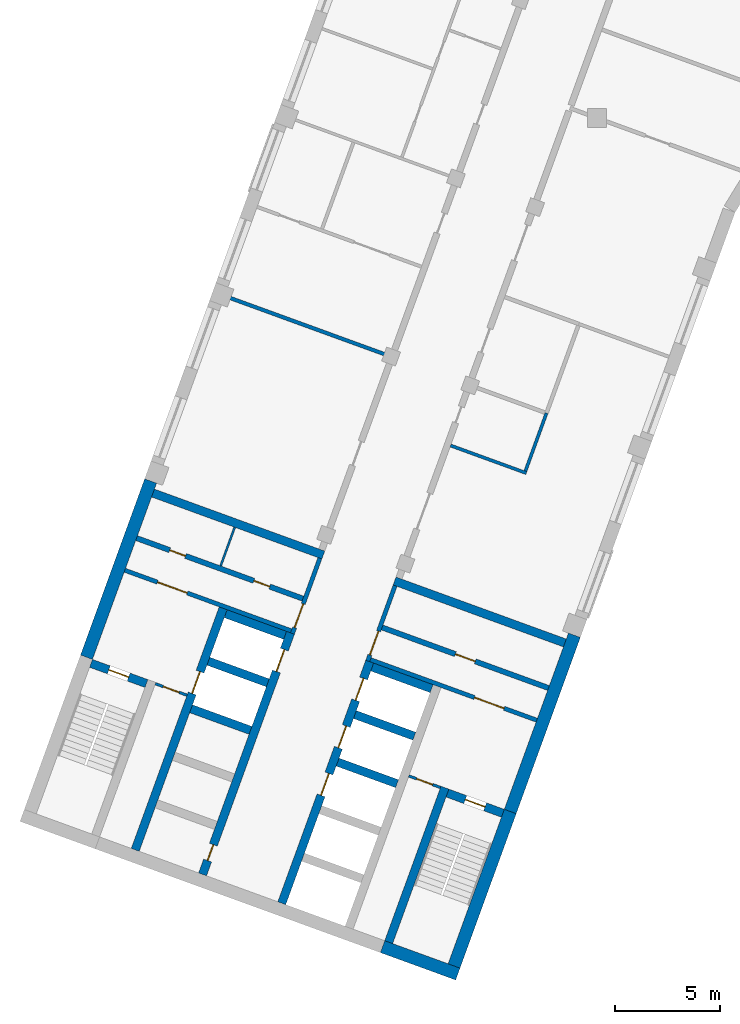
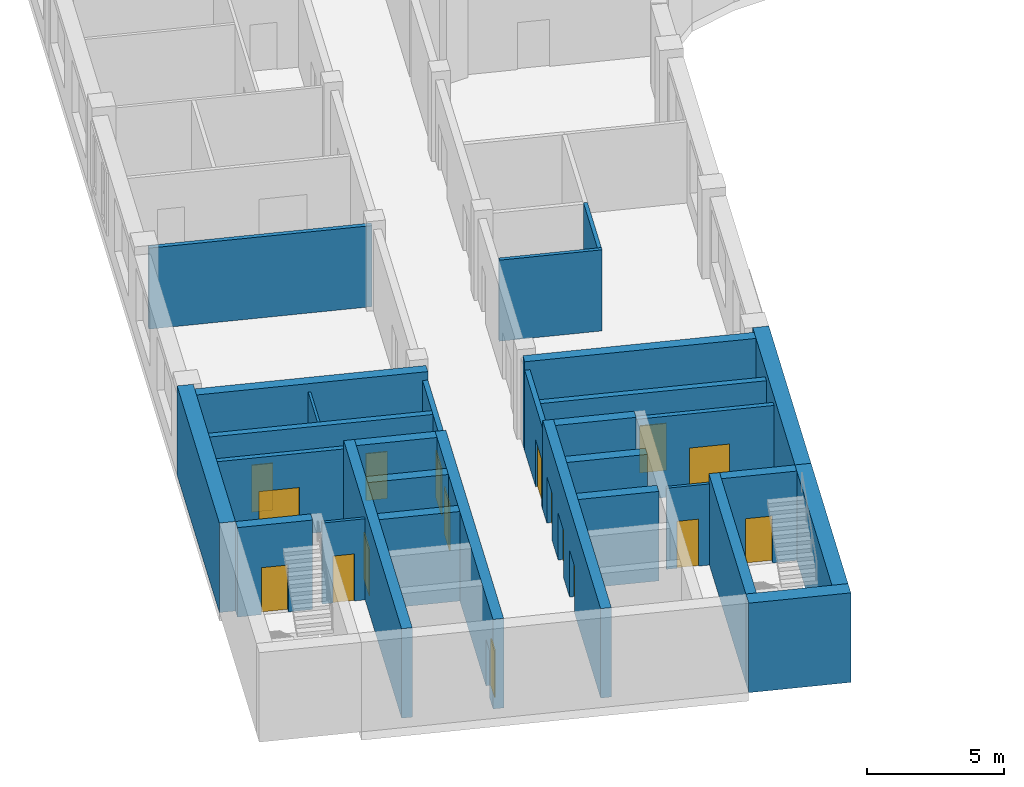
# One storey, part 2 of 12: 30 walls, 17 doors, 17 openings.
"""IFC4 building model written with IfcOpenShell, lengths in metres."""

import ifcopenshell
import ifcopenshell.guid

model = None  # the IFC model being written
_history = None  # IfcOwnerHistory: only IFC2X3 demands one
_inside = {}  # id of a spatial element -> (the spatial element, [elements in it])
_under = {}  # id of a project, library or spatial element -> (it, [spatial elements below it])
_declared = {}  # id of a project -> (the project, [libraries it declares])
_typed = {}  # id of a type object -> (the type object, [elements of that type])
_made_of = {}  # id of a material, layer set ... -> (it, [elements and type objects made of it])


def new_model(schema):
    """Start an empty IFC model of exactly this schema.

    Asked for "IFC4X3", IfcOpenShell would pick the latest addendum, in which some entities
    have other attributes; the version numbers below select the first issue.
    IFC2X3 requires an IfcOwnerHistory on every rooted entity: one is made here for all.
    """
    global model, _history
    if schema == "IFC4X3":
        model = ifcopenshell.file(schema_version=(4, 3, 0, 0))
    else:
        model = ifcopenshell.file(schema=schema)
    _inside.clear()
    _under.clear()
    _declared.clear()
    _typed.clear()
    _made_of.clear()
    _history = None
    if model.schema == "IFC2X3":
        org = make("IfcOrganization", Name="unknown")
        user = make(
            "IfcPersonAndOrganization",
            ThePerson=make("IfcPerson", FamilyName="unknown"),
            TheOrganization=org,
        )
        app = make(
            "IfcApplication",
            ApplicationDeveloper=org,
            Version="unknown",
            ApplicationFullName="unknown",
            ApplicationIdentifier="unknown",
        )
        _history = make(
            "IfcOwnerHistory",
            OwningUser=user,
            OwningApplication=app,
            ChangeAction="ADDED",
            CreationDate=0,
        )
    return model


def make(cls, **values):
    """One entity of the class cls with the attributes given. An attribute that is None is left unset."""
    return model.create_entity(
        cls, **{name: value for name, value in values.items() if value is not None}
    )


def rooted(cls, **values):
    """An entity with a GlobalId (a new one), such as an element, a storey or a relation."""
    return make(cls, GlobalId=ifcopenshell.guid.new(), OwnerHistory=_history, **values)


def si_unit(unit_type, name, prefix=None):
    """IfcSIUnit, for example si_unit("LENGTHUNIT", "METRE", prefix="MILLI")."""
    return make("IfcSIUnit", UnitType=unit_type, Prefix=prefix, Name=name)


def assignment(units):
    """IfcUnitAssignment: the units of a project."""
    return None if units is None else make("IfcUnitAssignment", Units=units)


def point(xyz):
    """IfcCartesianPoint."""
    return None if xyz is None else make("IfcCartesianPoint", Coordinates=xyz)


def direction(xyz):
    """IfcDirection."""
    return None if xyz is None else make("IfcDirection", DirectionRatios=xyz)


def frame(location, z_axis=None, x_axis=None):
    """IfcAxis2Placement3D, a coordinate frame: its origin and axes. An axis left out is left unset."""
    return make(
        "IfcAxis2Placement3D",
        Location=point(location),
        Axis=direction(z_axis),
        RefDirection=direction(x_axis),
    )


def frame_2d(location, x_axis=None):
    """IfcAxis2Placement2D, a coordinate frame in the plane: its origin and x axis."""
    return make(
        "IfcAxis2Placement2D", Location=point(location), RefDirection=direction(x_axis)
    )


def origin():
    """The frame at (0, 0, 0) with its axes left unset."""
    return frame((0.0, 0.0, 0.0))


def place(relative_to, where):
    """IfcLocalPlacement: puts the frame where relative to a parent placement (None: the world)."""
    return make(
        "IfcLocalPlacement", PlacementRelTo=relative_to, RelativePlacement=where
    )


def context(
    kind, dimensions, precision=None, world=None, true_north=None, identifier=None
):
    """IfcGeometricRepresentationContext, for example the 3D "Model" context."""
    return make(
        "IfcGeometricRepresentationContext",
        ContextIdentifier=identifier,
        ContextType=kind,
        CoordinateSpaceDimension=dimensions,
        Precision=precision,
        WorldCoordinateSystem=world,
        TrueNorth=true_north,
    )


def subcontext(parent, identifier, kind, view, scale=None):
    """IfcGeometricRepresentationSubContext, for example "Body" below "Model"."""
    return make(
        "IfcGeometricRepresentationSubContext",
        ContextIdentifier=identifier,
        ContextType=kind,
        ParentContext=parent,
        TargetScale=scale,
        TargetView=view,
    )


def project(units=None, contexts=None):
    """IfcProject with its units and contexts."""
    return rooted(
        "IfcProject",
        Name="project",
        RepresentationContexts=contexts,
        UnitsInContext=assignment(units),
    )


def spatial(cls, under=None, at=None, **own):
    """A site, building, storey or space (cls), placed at a placement, below another one or the project."""
    s = rooted(cls, ObjectPlacement=at, **own)
    if under is not None:
        _under.setdefault(under.id(), (under, []))[1].append(s)
    return s


def profile(cls, at=None, kind="AREA", **sizes):
    """A parametric profile (cls). Its sizes go by their IFC names, for example OverallWidth=200.0."""
    return make(cls, ProfileType=kind, Position=at, **sizes)


def rectangle(**sizes):
    """IfcRectangleProfileDef."""
    return profile("IfcRectangleProfileDef", **sizes)


def extrude(swept, where, along, depth):
    """IfcExtrudedAreaSolid: the profile swept, set in the frame where, extruded along a direction by depth."""
    return make(
        "IfcExtrudedAreaSolid",
        SweptArea=swept,
        Position=where,
        ExtrudedDirection=direction(along),
        Depth=depth,
    )


def shape(context_of_items, identifier, shape_type, items):
    """IfcShapeRepresentation: the items that make up one representation, for example the "Body"."""
    return make(
        "IfcShapeRepresentation",
        ContextOfItems=context_of_items,
        RepresentationIdentifier=identifier,
        RepresentationType=shape_type,
        Items=items,
    )


def material(Name=None, Category=None):
    """IfcMaterial."""
    return make("IfcMaterial", Name=Name, Category=Category)


def layer(
    of_material, thickness, ventilated=None, Name=None, Category=None, Priority=None
):
    """IfcMaterialLayer: one layer of a wall or slab, of a material (None: an air gap)."""
    return make(
        "IfcMaterialLayer",
        Material=of_material,
        LayerThickness=thickness,
        IsVentilated=ventilated,
        Name=Name,
        Category=Category,
        Priority=Priority,
    )


def layer_set(layers, Name=None):
    """IfcMaterialLayerSet."""
    return make("IfcMaterialLayerSet", MaterialLayers=layers, LayerSetName=Name)


def made_of(thing, what):
    """Note that an element or type object is made of a material, layer set ...; save() writes the relation."""
    if what is not None:
        _made_of.setdefault(what.id(), (what, []))[1].append(thing)
    return thing


def type_object(cls, material=None, **own):
    """A type object (cls), such as IfcWallType, which elements share."""
    return made_of(rooted(cls, **own), material)


def element(
    cls,
    number,
    at=None,
    inside=None,
    cuts=None,
    type_object=None,
    material=None,
    context=None,
    identifier="Body",
    shape_type=None,
    held_by="IfcProductDefinitionShape",
    body=None,
    shapes=None,
    **own,
):
    """One element of the class cls, such as IfcWall. Its Tag is "e" and its number.

    at: its placement. inside: the storey or other place that contains it. cuts: it is an
    opening in that element (IfcRelVoidsElement). A single representation is given by context,
    identifier, shape_type and body (its items); several are given by shapes. held_by: the class
    of the entity that holds the representations. save() writes the other relations.
    """
    e = rooted(cls, Tag="e%d" % number, ObjectPlacement=at, **own)
    if body is not None:
        shapes = [shape(context, identifier, shape_type, body)]
    if shapes is not None:
        e.Representation = make(held_by, Representations=shapes)
    if inside is not None:
        _inside.setdefault(inside.id(), (inside, []))[1].append(e)
    if cuts is not None:
        rooted(
            "IfcRelVoidsElement", RelatingBuildingElement=cuts, RelatedOpeningElement=e
        )
    if type_object is not None:
        _typed.setdefault(type_object.id(), (type_object, []))[1].append(e)
    return made_of(e, material)


def fill(opening, filler):
    """IfcRelFillsElement: the door or window that sits in an opening."""
    return rooted(
        "IfcRelFillsElement",
        RelatingOpeningElement=opening,
        RelatedBuildingElement=filler,
    )


def aggregate(whole, parts):
    """IfcRelAggregates: a whole, such as a stair, and the parts it consists of."""
    return rooted("IfcRelAggregates", RelatingObject=whole, RelatedObjects=parts)


def save(model, path):
    """Write the relations noted so far, then the file.

    IfcRelAggregates (storeys below a building ...), IfcRelContainedInSpatialStructure (elements
    in a storey), IfcRelDefinesByType, IfcRelAssociatesMaterial and IfcRelDeclares: one each for
    every whole, place, type object, material and project.
    """
    for whole, parts in _under.values():
        aggregate(whole, parts)
    for where, things in _inside.values():
        rooted(
            "IfcRelContainedInSpatialStructure",
            RelatedElements=things,
            RelatingStructure=where,
        )
    for kind, things in _typed.values():
        rooted("IfcRelDefinesByType", RelatedObjects=things, RelatingType=kind)
    for what, things in _made_of.values():
        rooted("IfcRelAssociatesMaterial", RelatedObjects=things, RelatingMaterial=what)
    for by, libraries in _declared.values():
        rooted("IfcRelDeclares", RelatingContext=by, RelatedDefinitions=libraries)
    model.write(path)


model = new_model("IFC4")

# Units and contexts
model_context = context("Model", 3, precision=1e-05, world=origin(), true_north=direction((0.0, 1.0)))
body_context = subcontext(model_context, "Body", "Model", "MODEL_VIEW")
ifc_project = project(units=[si_unit("LENGTHUNIT", "METRE"), si_unit("AREAUNIT", "SQUARE_METRE"), si_unit("VOLUMEUNIT", "CUBIC_METRE"), si_unit("PLANEANGLEUNIT", "RADIAN"), si_unit("MASSUNIT", "GRAM", prefix="KILO")], contexts=[model_context])

# Site, building, storey
site_placement = place(None, origin())
site = spatial("IfcSite", under=ifc_project, at=site_placement, CompositionType="ELEMENT")
building_placement = place(site_placement, origin())
building = spatial("IfcBuilding", under=site, at=building_placement, Name="Skarvind Civic Tower", CompositionType="ELEMENT")
storey_placement = place(building_placement, frame((0.0, 0.0, 39.5)))
storey = spatial("IfcBuildingStorey", under=building, at=storey_placement, Name="L08", CompositionType="ELEMENT", Elevation=39.5)

# Wall
ifc_material_1 = material(Name="Acoustic gypsum board on steel studs", Category="steel")
ifc_layer_1 = layer(ifc_material_1, 0.175048828125)
ifc_layer_set_1 = layer_set([ifc_layer_1], Name="ACOUSTIC MEETING-ROOM PARTITION 175")
wall_type_1 = type_object("IfcWallType", Name="ACOUSTIC MEETING-ROOM PARTITION 175", PredefinedType="PARTITIONING", material=ifc_layer_set_1)
wall_1_placement = place(storey_placement, frame((28.27490234375, 109.708984375, 0.0), z_axis=(0.0, 0.0, 1.0), x_axis=(0.939697205528, -0.342007546586, 0.0)))
element("IfcWall", 1, at=wall_1_placement, inside=storey, type_object=wall_type_1, Name="Partition 08.001", PredefinedType="PARTITIONING", context=body_context, shape_type="SweptSolid", body=[
    extrude(rectangle(XDim=8.300537109375, YDim=0.175048828125, at=frame_2d((4.150390625, 0.0))), origin(), (0.0, 0.0, 1.0), 3.625),
])

# Wall, opening, door
ifc_material_2 = material(Name="Fire-rated masonry partition", Category="masonry")
ifc_layer_2 = layer(ifc_material_2, 0.199951171875)
ifc_layer_set_2 = layer_set([ifc_layer_2], Name="Core enclosure wall 200")
wall_type_2 = type_object("IfcWallType", Name="Core enclosure wall 200", PredefinedType="PARTITIONING", material=ifc_layer_set_2)
wall_2_placement = place(storey_placement, frame((31.491455078125, 93.693359375, 0.0), z_axis=(0.0, 0.0, 1.0), x_axis=(0.341995824804, 0.939701471648, 0.0)))
wall_2 = element("IfcWall", 2, at=wall_2_placement, inside=storey, type_object=wall_type_2, Name="Core wall C2", PredefinedType="PARTITIONING", context=body_context, shape_type="SweptSolid", body=[
    extrude(rectangle(XDim=3.800048828125, YDim=0.199951171875, at=frame_2d((1.89990234375, 0.0))), origin(), (0.0, 0.0, 1.0), 3.625),
])
opening_1_placement = place(wall_2_placement, frame((0.300048828125, 0.0, 0.0)))
opening_1 = element("IfcOpeningElement", 3, at=opening_1_placement, cuts=wall_2, Name="Opening D-L08-C2-06", PredefinedType="OPENING", context=body_context, shape_type="SweptSolid", body=[
    extrude(rectangle(XDim=1.199951171875, YDim=2.10009765625, at=frame_2d((0.60009765625, 1.050048828125))), frame((0.0, 0.10986328125, 0.0), z_axis=(0.0, -1.0, 0.0), x_axis=(1.0, 0.0, 0.0)), (0.0, 0.0, 1.0), 0.219970703125),
])
ifc_material_3 = material(Name="Fire-rated steel door", Category="steel")
door_type_1 = type_object("IfcDoorType", Name="Core lobby door 1200", OperationType="NOTDEFINED", PredefinedType="DOOR", material=ifc_material_3)
door_1_placement = place(opening_1_placement, origin())
door_1 = element("IfcDoor", 4, at=door_1_placement, inside=storey, type_object=door_type_1, Name="Fire door", OperationType="DOUBLE_DOOR_SINGLE_SWING", OverallHeight=2.10009765625, OverallWidth=1.199951171875, PredefinedType="DOOR", context=body_context, shape_type="SweptSolid", body=[
    extrude(rectangle(XDim=1.199951171875, YDim=2.10009765625, at=frame_2d((0.60009765625, 1.050048828125))), frame((0.0, 0.02490234375, 0.0), z_axis=(0.0, -1.0, 0.0), x_axis=(1.0, 0.0, 0.0)), (0.0, 0.0, 1.0), 0.050048828125),
])
fill(opening_1, door_1)

wall_3_placement = place(storey_placement, frame((23.5380859375, 96.6943359375, 0.0), z_axis=(0.0, 0.0, 1.0), x_axis=(0.939691552312, -0.342023078919, 0.0)))
wall_3 = element("IfcWall", 5, at=wall_3_placement, inside=storey, type_object=wall_type_2, Name="Core wall C2", PredefinedType="PARTITIONING", context=body_context, shape_type="SweptSolid", body=[
    extrude(rectangle(XDim=8.400146484375, YDim=0.199951171875, at=frame_2d((4.2001953125, 0.0))), origin(), (0.0, 0.0, 1.0), 3.625),
])
opening_2_placement = place(wall_3_placement, frame((1.64990234375, 0.0, 0.0)))
opening_2 = element("IfcOpeningElement", 6, at=opening_2_placement, cuts=wall_3, Name="Opening D-L08-C2-07", PredefinedType="OPENING", context=body_context, shape_type="SweptSolid", body=[
    extrude(rectangle(XDim=1.5, YDim=2.10009765625, at=frame_2d((0.75, 1.050048828125))), frame((0.0, 0.10986328125, 0.0), z_axis=(0.0, -1.0, 0.0), x_axis=(1.0, 0.0, 0.0)), (0.0, 0.0, 1.0), 0.219970703125),
])
door_type_2 = type_object("IfcDoorType", Name="Fire door 1500", OperationType="NOTDEFINED", PredefinedType="DOOR", material=ifc_material_3)
door_2_placement = place(opening_2_placement, origin())
door_2 = element("IfcDoor", 7, at=door_2_placement, inside=storey, type_object=door_type_2, Name="Fire door", OperationType="DOUBLE_DOOR_SINGLE_SWING", OverallHeight=2.10009765625, OverallWidth=1.5, PredefinedType="DOOR", context=body_context, shape_type="SweptSolid", body=[
    extrude(rectangle(XDim=1.5, YDim=2.10009765625, at=frame_2d((0.75, 1.050048828125))), frame((0.0, 0.02490234375, 0.0), z_axis=(0.0, -1.0, 0.0), x_axis=(1.0, 0.0, 0.0)), (0.0, 0.0, 1.0), 0.050048828125),
])
fill(opening_2, door_2)

wall_4_placement = place(storey_placement, frame((36.36181640625, 95.96435546875, 0.0), z_axis=(0.0, 0.0, 1.0), x_axis=(-0.341995824804, -0.939701471648, 0.0)))
wall_4 = element("IfcWall", 8, at=wall_4_placement, inside=storey, type_object=wall_type_2, Name="Core wall C2", PredefinedType="PARTITIONING", context=body_context, shape_type="SweptSolid", body=[
    extrude(rectangle(XDim=3.800048828125, YDim=0.199951171875, at=frame_2d((1.89990234375, 0.0))), origin(), (0.0, 0.0, 1.0), 3.625),
])
opening_3_placement = place(wall_4_placement, frame((2.300048828125, 0.0, 0.0)))
opening_3 = element("IfcOpeningElement", 9, at=opening_3_placement, cuts=wall_4, Name="Opening D-L08-C2-12", PredefinedType="OPENING", context=body_context, shape_type="SweptSolid", body=[
    extrude(rectangle(XDim=1.199951171875, YDim=2.10009765625, at=frame_2d((0.60009765625, 1.050048828125))), frame((0.0, 0.10986328125, 0.0), z_axis=(0.0, -1.0, 0.0), x_axis=(1.0, 0.0, 0.0)), (0.0, 0.0, 1.0), 0.219970703125),
])
door_3_placement = place(opening_3_placement, origin())
door_3 = element("IfcDoor", 10, at=door_3_placement, inside=storey, type_object=door_type_1, Name="Fire door", OperationType="DOUBLE_DOOR_SINGLE_SWING", OverallHeight=2.10009765625, OverallWidth=1.199951171875, PredefinedType="DOOR", context=body_context, shape_type="SweptSolid", body=[
    extrude(rectangle(XDim=1.199951171875, YDim=2.10009765625, at=frame_2d((0.60009765625, 1.050048828125))), frame((0.0, 0.02490234375, 0.0), z_axis=(0.0, -1.0, 0.0), x_axis=(1.0, 0.0, 0.0)), (0.0, 0.0, 1.0), 0.050048828125),
])
fill(opening_3, door_3)

wall_5_placement = place(storey_placement, frame((35.1904296875, 92.453369140625, 0.0), z_axis=(0.0, 0.0, 1.0), x_axis=(0.939691552312, -0.342023078919, 0.0)))
wall_5 = element("IfcWall", 11, at=wall_5_placement, inside=storey, type_object=wall_type_2, Name="Core wall C2", PredefinedType="PARTITIONING", context=body_context, shape_type="SweptSolid", body=[
    extrude(rectangle(XDim=8.400146484375, YDim=0.199951171875, at=frame_2d((4.2001953125, 0.0))), origin(), (0.0, 0.0, 1.0), 3.625),
])
opening_4_placement = place(wall_5_placement, frame((5.25, 0.0, 0.0)))
opening_4 = element("IfcOpeningElement", 12, at=opening_4_placement, cuts=wall_5, Name="Opening D-L08-C2-13", PredefinedType="OPENING", context=body_context, shape_type="SweptSolid", body=[
    extrude(rectangle(XDim=1.5, YDim=2.10009765625, at=frame_2d((0.75, 1.050048828125))), frame((0.0, 0.10986328125, 0.0), z_axis=(0.0, -1.0, 0.0), x_axis=(1.0, 0.0, 0.0)), (0.0, 0.0, 1.0), 0.219970703125),
])
door_4_placement = place(opening_4_placement, origin())
door_4 = element("IfcDoor", 13, at=door_4_placement, inside=storey, type_object=door_type_2, Name="Fire door", OperationType="DOUBLE_DOOR_SINGLE_SWING", OverallHeight=2.10009765625, OverallWidth=1.5, PredefinedType="DOOR", context=body_context, shape_type="SweptSolid", body=[
    extrude(rectangle(XDim=1.5, YDim=2.10009765625, at=frame_2d((0.75, 1.050048828125))), frame((0.0, 0.02490234375, 0.0), z_axis=(0.0, -1.0, 0.0), x_axis=(1.0, 0.0, 0.0)), (0.0, 0.0, 1.0), 0.050048828125),
])
fill(opening_4, door_4)

# Walls
ifc_material_4 = material(Name="Fire-rated plasterboard partition")
ifc_layer_3 = layer(ifc_material_4, 0.10009765625)
ifc_layer_set_3 = layer_set([ifc_layer_3], Name="Core partition wall 100")
wall_type_3 = type_object("IfcWallType", Name="Core partition wall 100", PredefinedType="PARTITIONING", material=ifc_layer_set_3)
wall_6_placement = place(storey_placement, frame((28.08349609375, 96.90234375, 0.0), z_axis=(0.0, 0.0, 1.0), x_axis=(0.342024501273, 0.939691034611, 0.0)))
element("IfcWall", 14, at=wall_6_placement, inside=storey, type_object=wall_type_3, Name="Core wall C2", PredefinedType="PARTITIONING", context=body_context, shape_type="SweptSolid", body=[
    extrude(rectangle(XDim=1.9501953125, YDim=0.10009765625, at=frame_2d((0.97509765625, 0.0))), origin(), (0.0, 0.0, 1.0), 3.625),
])
ifc_material_5 = material(Name="Concrete C80", Category="concrete")
ifc_layer_4 = layer(ifc_material_5, 0.39990234375)
ifc_layer_set_4 = layer_set([ifc_layer_4], Name="Core wall 400 C80")
wall_type_4 = type_object("IfcWallType", Name="Core wall 400 C80", PredefinedType="SHEAR", material=ifc_layer_set_4)
wall_7_placement = place(storey_placement, frame((36.057861328125, 79.04833984375, 0.0), z_axis=(0.0, 0.0, 1.0), x_axis=(0.342016982193, 0.939693771338, 0.0)))
element("IfcWall", 15, at=wall_7_placement, inside=storey, type_object=wall_type_4, Name="Core wall C2 south stair inner L08", PredefinedType="SHEAR", context=body_context, shape_type="SweptSolid", body=[
    extrude(rectangle(XDim=7.800048828125, YDim=0.39990234375, at=frame_2d((3.89990234375, 0.0))), origin(), (0.0, 0.0, 1.0), 4.0),
])

# Wall, opening, door
wall_8_placement = place(storey_placement, frame((41.476318359375, 85.163818359375, 0.0), z_axis=(0.0, 0.0, 1.0), x_axis=(-0.939678810556, 0.342058084236, 0.0)))
wall_8 = element("IfcWall", 16, at=wall_8_placement, inside=storey, type_object=wall_type_4, Name="Core wall C2 south stair end L08", PredefinedType="SHEAR", context=body_context, shape_type="SweptSolid", body=[
    extrude(rectangle(XDim=2.800048828125, YDim=0.39990234375, at=frame_2d((1.39990234375, 0.0))), origin(), (0.0, 0.0, 1.0), 4.0),
])
opening_5_placement = place(wall_8_placement, frame((0.89990234375, 0.0, 0.0)))
opening_5 = element("IfcOpeningElement", 17, at=opening_5_placement, cuts=wall_8, Name="Opening D-L08-C2-14", PredefinedType="OPENING", context=body_context, shape_type="SweptSolid", body=[
    extrude(rectangle(XDim=1.0, YDim=2.10009765625, at=frame_2d((0.5, 1.050048828125))), frame((0.0, 0.2099609375, 0.0), z_axis=(0.0, -1.0, 0.0), x_axis=(1.0, 0.0, 0.0)), (0.0, 0.0, 1.0), 0.419921875),
])
door_type_3 = type_object("IfcDoorType", Name="Fire door 1000", OperationType="NOTDEFINED", PredefinedType="DOOR", material=ifc_material_3)
door_5_placement = place(opening_5_placement, origin())
door_5 = element("IfcDoor", 18, at=door_5_placement, inside=storey, type_object=door_type_3, Name="Fire door", OperationType="SINGLE_SWING_RIGHT", OverallHeight=2.10009765625, OverallWidth=1.0, PredefinedType="DOOR", context=body_context, shape_type="SweptSolid", body=[
    extrude(rectangle(XDim=1.0, YDim=2.10009765625, at=frame_2d((0.5, 1.050048828125))), frame((0.0, 0.02490234375, 0.0), z_axis=(0.0, -1.0, 0.0), x_axis=(1.0, 0.0, 0.0)), (0.0, 0.0, 1.0), 0.050048828125),
])
fill(opening_5, door_5)

wall_9_placement = place(storey_placement, frame((24.56201171875, 91.3203125, 0.0), z_axis=(0.0, 0.0, 1.0), x_axis=(-0.939717030584, 0.341953070509, 0.0)))
wall_9 = element("IfcWall", 19, at=wall_9_placement, inside=storey, type_object=wall_type_4, Name="Core wall C2 north stair end L08", PredefinedType="SHEAR", context=body_context, shape_type="SweptSolid", body=[
    extrude(rectangle(XDim=2.800048828125, YDim=0.39990234375, at=frame_2d((1.39990234375, 0.0))), origin(), (0.0, 0.0, 1.0), 4.0),
])
opening_6_placement = place(wall_9_placement, frame((0.89990234375, 0.0, 0.0)))
opening_6 = element("IfcOpeningElement", 20, at=opening_6_placement, cuts=wall_9, Name="Opening D-L08-C2-08", PredefinedType="OPENING", context=body_context, shape_type="SweptSolid", body=[
    extrude(rectangle(XDim=1.0, YDim=2.10009765625, at=frame_2d((0.5, 1.050048828125))), frame((0.0, 0.2099609375, 0.0), z_axis=(0.0, -1.0, 0.0), x_axis=(1.0, 0.0, 0.0)), (0.0, 0.0, 1.0), 0.419921875),
])
door_6_placement = place(opening_6_placement, origin())
door_6 = element("IfcDoor", 21, at=door_6_placement, inside=storey, type_object=door_type_3, Name="Fire door", OperationType="SINGLE_SWING_LEFT", OverallHeight=2.10009765625, OverallWidth=1.0, PredefinedType="DOOR", context=body_context, shape_type="SweptSolid", body=[
    extrude(rectangle(XDim=1.0, YDim=2.10009765625, at=frame_2d((0.5, 1.050048828125))), frame((0.0, 0.02490234375, 0.0), z_axis=(0.0, -1.0, 0.0), x_axis=(1.0, 0.0, 0.0)), (0.0, 0.0, 1.0), 0.050048828125),
])
fill(opening_6, door_6)

# Wall, openings, doors
wall_10_placement = place(storey_placement, frame((30.983642578125, 80.895263671875, 0.0), z_axis=(0.0, 0.0, 1.0), x_axis=(0.342021021735, 0.939692301071, 0.0)))
wall_10 = element("IfcWall", 22, at=wall_10_placement, inside=storey, type_object=wall_type_4, Name="Core wall C2 south lift row front L08", PredefinedType="SHEAR", context=body_context, shape_type="SweptSolid", body=[
    extrude(rectangle(XDim=12.199951171875, YDim=0.39990234375, at=frame_2d((6.10009765625, 0.0))), origin(), (0.0, 0.0, 1.0), 4.0),
])
opening_7_placement = place(wall_10_placement, frame((5.449951171875, 0.0, 0.0)))
opening_7 = element("IfcOpeningElement", 23, at=opening_7_placement, cuts=wall_10, Name="Opening LD10208", PredefinedType="OPENING", context=body_context, shape_type="SweptSolid", body=[
    extrude(rectangle(XDim=1.10009765625, YDim=2.10009765625, at=frame_2d((0.550048828125, 1.050048828125))), frame((0.0, 0.2099609375, 0.0), z_axis=(0.0, -1.0, 0.0), x_axis=(1.0, 0.0, 0.0)), (0.0, 0.0, 1.0), 0.419921875),
])
opening_8_placement = place(wall_10_placement, frame((7.85009765625, 0.0, 0.0)))
opening_8 = element("IfcOpeningElement", 24, at=opening_8_placement, cuts=wall_10, Name="Opening LD10209", PredefinedType="OPENING", context=body_context, shape_type="SweptSolid", body=[
    extrude(rectangle(XDim=1.10009765625, YDim=2.10009765625, at=frame_2d((0.550048828125, 1.050048828125))), frame((0.0, 0.2099609375, 0.0), z_axis=(0.0, -1.0, 0.0), x_axis=(1.0, 0.0, 0.0)), (0.0, 0.0, 1.0), 0.419921875),
])
opening_9_placement = place(wall_10_placement, frame((10.25, 0.0, 0.0)))
opening_9 = element("IfcOpeningElement", 25, at=opening_9_placement, cuts=wall_10, Name="Opening LD10210", PredefinedType="OPENING", context=body_context, shape_type="SweptSolid", body=[
    extrude(rectangle(XDim=1.10009765625, YDim=2.10009765625, at=frame_2d((0.550048828125, 1.050048828125))), frame((0.0, 0.2099609375, 0.0), z_axis=(0.0, -1.0, 0.0), x_axis=(1.0, 0.0, 0.0)), (0.0, 0.0, 1.0), 0.419921875),
])
ifc_material_6 = material(Name="Stainless steel landing door", Category="steel")
door_type_4 = type_object("IfcDoorType", Name="Lift landing door 1100", OperationType="DOUBLE_DOOR_SLIDING", PredefinedType="DOOR", material=ifc_material_6)
door_7_placement = place(opening_7_placement, origin())
door_7 = element("IfcDoor", 26, at=door_7_placement, inside=storey, type_object=door_type_4, Name="Lift landing door", OperationType="DOUBLE_DOOR_SLIDING", OverallHeight=2.10009765625, OverallWidth=1.10009765625, PredefinedType="DOOR", context=body_context, shape_type="SweptSolid", body=[
    extrude(rectangle(XDim=1.10009765625, YDim=2.10009765625, at=frame_2d((0.550048828125, 1.050048828125))), frame((0.0, 0.02490234375, 0.0), z_axis=(0.0, -1.0, 0.0), x_axis=(1.0, 0.0, 0.0)), (0.0, 0.0, 1.0), 0.050048828125),
])
fill(opening_7, door_7)
door_8_placement = place(opening_8_placement, origin())
door_8 = element("IfcDoor", 27, at=door_8_placement, inside=storey, type_object=door_type_4, Name="Lift landing door", OperationType="DOUBLE_DOOR_SLIDING", OverallHeight=2.10009765625, OverallWidth=1.10009765625, PredefinedType="DOOR", context=body_context, shape_type="SweptSolid", body=[
    extrude(rectangle(XDim=1.10009765625, YDim=2.10009765625, at=frame_2d((0.550048828125, 1.050048828125))), frame((0.0, 0.02490234375, 0.0), z_axis=(0.0, -1.0, 0.0), x_axis=(1.0, 0.0, 0.0)), (0.0, 0.0, 1.0), 0.050048828125),
])
fill(opening_8, door_8)
door_9_placement = place(opening_9_placement, origin())
door_9 = element("IfcDoor", 28, at=door_9_placement, inside=storey, type_object=door_type_4, Name="Lift landing door", OperationType="DOUBLE_DOOR_SLIDING", OverallHeight=2.10009765625, OverallWidth=1.10009765625, PredefinedType="DOOR", context=body_context, shape_type="SweptSolid", body=[
    extrude(rectangle(XDim=1.10009765625, YDim=2.10009765625, at=frame_2d((0.550048828125, 1.050048828125))), frame((0.0, 0.02490234375, 0.0), z_axis=(0.0, -1.0, 0.0), x_axis=(1.0, 0.0, 0.0)), (0.0, 0.0, 1.0), 0.050048828125),
])
fill(opening_9, door_9)

# Walls
for number, where, z_axis, x_axis, name in (
    (29, (36.453125, 86.56640625, 0.0), (0.0, 0.0, 1.0), (-0.939686455819, 0.342037080957, 0.0), "Core wall C2 south lift row division 3 L08"),
    (30, (37.27392578125, 88.82177734375, 0.0), (0.0, 0.0, 1.0), (-0.939686455819, 0.342037080957, 0.0), "Core wall C2 south lift row division 4 L08"),
):
    element("IfcWall", number, at=place(storey_placement, frame(where, z_axis=z_axis, x_axis=x_axis)), inside=storey, type_object=wall_type_4, Name=name, PredefinedType="SHEAR", context=body_context, shape_type="SweptSolid", body=[
        extrude(rectangle(XDim=3.0, YDim=0.39990234375, at=frame_2d((1.5, 0.0))), origin(), (0.0, 0.0, 1.0), 4.0),
    ])
wall_11_placement = place(storey_placement, frame((38.0947265625, 91.076904296875, 0.0), z_axis=(0.0, 0.0, 1.0), x_axis=(-0.939676934218, 0.342063238742, 0.0)))
element("IfcWall", 31, at=wall_11_placement, inside=storey, type_object=wall_type_4, Name="Core wall C2 south lift row division 5 L08", PredefinedType="SHEAR", context=body_context, shape_type="SweptSolid", body=[
    extrude(rectangle(XDim=2.999755859375, YDim=0.39990234375, at=frame_2d((1.5, 0.0))), origin(), (0.0, 0.0, 1.0), 4.0),
])

# Wall, openings, doors
wall_12_placement = place(storey_placement, frame((27.224853515625, 82.26318359375, 0.0), z_axis=(0.0, 0.0, 1.0), x_axis=(0.342014590177, 0.939694641948, 0.0)))
wall_12 = element("IfcWall", 32, at=wall_12_placement, inside=storey, type_object=wall_type_4, Name="Core wall C2 north lift row front L08", PredefinedType="SHEAR", context=body_context, shape_type="SweptSolid", body=[
    extrude(rectangle(XDim=12.2001953125, YDim=0.39990234375, at=frame_2d((6.10009765625, 0.0))), origin(), (0.0, 0.0, 1.0), 4.0),
])
opening_10_placement = place(wall_12_placement, frame((10.25, 0.0, 0.0)))
opening_10 = element("IfcOpeningElement", 33, at=opening_10_placement, cuts=wall_12, Name="Opening LD10205", PredefinedType="OPENING", context=body_context, shape_type="SweptSolid", body=[
    extrude(rectangle(XDim=1.10009765625, YDim=2.10009765625, at=frame_2d((0.550048828125, 1.050048828125))), frame((0.0, 0.2099609375, 0.0), z_axis=(0.0, -1.0, 0.0), x_axis=(1.0, 0.0, 0.0)), (0.0, 0.0, 1.0), 0.419921875),
])
opening_11_placement = place(wall_12_placement, frame((0.699951171875, 0.0, 0.0)))
opening_11 = element("IfcOpeningElement", 34, at=opening_11_placement, cuts=wall_12, Name="Opening D-L08-C2-05", PredefinedType="OPENING", context=body_context, shape_type="SweptSolid", body=[
    extrude(rectangle(XDim=0.800048828125, YDim=2.10009765625, at=frame_2d((0.39990234375, 1.050048828125))), frame((0.0, 0.2099609375, 0.0), z_axis=(0.0, -1.0, 0.0), x_axis=(1.0, 0.0, 0.0)), (0.0, 0.0, 1.0), 0.419921875),
])
door_type_5 = type_object("IfcDoorType", Name="Core riser door 800", OperationType="NOTDEFINED", PredefinedType="DOOR", material=ifc_material_3)
door_10_placement = place(opening_11_placement, origin())
door_10 = element("IfcDoor", 35, at=door_10_placement, inside=storey, type_object=door_type_5, Name="Riser door", OperationType="SINGLE_SWING_LEFT", OverallHeight=2.10009765625, OverallWidth=0.800048828125, PredefinedType="DOOR", context=body_context, shape_type="SweptSolid", body=[
    extrude(rectangle(XDim=0.800048828125, YDim=2.10009765625, at=frame_2d((0.39990234375, 1.050048828125))), frame((0.0, 0.02490234375, 0.0), z_axis=(0.0, -1.0, 0.0), x_axis=(1.0, 0.0, 0.0)), (0.0, 0.0, 1.0), 0.050048828125),
])
fill(opening_11, door_10)
door_11_placement = place(opening_10_placement, origin())
door_11 = element("IfcDoor", 36, at=door_11_placement, inside=storey, type_object=door_type_4, Name="Lift landing door", OperationType="DOUBLE_DOOR_SLIDING", OverallHeight=2.10009765625, OverallWidth=1.10009765625, PredefinedType="DOOR", context=body_context, shape_type="SweptSolid", body=[
    extrude(rectangle(XDim=1.10009765625, YDim=2.10009765625, at=frame_2d((0.550048828125, 1.050048828125))), frame((0.0, 0.02490234375, 0.0), z_axis=(0.0, -1.0, 0.0), x_axis=(1.0, 0.0, 0.0)), (0.0, 0.0, 1.0), 0.050048828125),
])
fill(opening_10, door_11)

# Wall, opening, door
wall_13_placement = place(storey_placement, frame((24.02978515625, 83.426025390625, 0.0), z_axis=(0.0, 0.0, 1.0), x_axis=(0.342014590177, 0.939694641948, 0.0)))
wall_13 = element("IfcWall", 37, at=wall_13_placement, inside=storey, type_object=wall_type_4, Name="Core wall C2 north lift row back L08", PredefinedType="SHEAR", context=body_context, shape_type="SweptSolid", body=[
    extrude(rectangle(XDim=12.2001953125, YDim=0.39990234375, at=frame_2d((6.10009765625, 0.0))), origin(), (0.0, 0.0, 1.0), 4.0),
])
opening_12_placement = place(wall_13_placement, frame((7.89990234375, 0.0, 0.0)))
opening_12 = element("IfcOpeningElement", 38, at=opening_12_placement, cuts=wall_13, Name="Opening LD10204", PredefinedType="OPENING", context=body_context, shape_type="SweptSolid", body=[
    extrude(rectangle(XDim=1.10009765625, YDim=2.10009765625, at=frame_2d((0.550048828125, 1.050048828125))), frame((0.0, 0.2099609375, 0.0), z_axis=(0.0, -1.0, 0.0), x_axis=(1.0, 0.0, 0.0)), (0.0, 0.0, 1.0), 0.419921875),
])
door_12_placement = place(opening_12_placement, origin())
door_12 = element("IfcDoor", 39, at=door_12_placement, inside=storey, type_object=door_type_4, Name="Lift landing door", OperationType="DOUBLE_DOOR_SLIDING", OverallHeight=2.10009765625, OverallWidth=1.10009765625, PredefinedType="DOOR", context=body_context, shape_type="SweptSolid", body=[
    extrude(rectangle(XDim=1.10009765625, YDim=2.10009765625, at=frame_2d((0.550048828125, 1.050048828125))), frame((0.0, 0.02490234375, 0.0), z_axis=(0.0, -1.0, 0.0), x_axis=(1.0, 0.0, 0.0)), (0.0, 0.0, 1.0), 0.050048828125),
])
fill(opening_12, door_12)

# Walls
for number, where, z_axis, x_axis, name in (
    (40, (29.49951171875, 89.097412109375, 0.0), (0.0, 0.0, 1.0), (-0.939686455819, 0.342037080957, 0.0), "Core wall C2 north lift row division 3 L08"),
    (41, (30.3203125, 91.352783203125, 0.0), (0.0, 0.0, 1.0), (-0.939712609717, 0.341965219194, 0.0), "Core wall C2 north lift row division 4 L08"),
    (42, (31.14111328125, 93.60791015625, 0.0), (0.0, 0.0, 1.0), (-0.939686455819, 0.342037080957, 0.0), "Core wall C2 north lift row division 5 L08"),
):
    element("IfcWall", number, at=place(storey_placement, frame(where, z_axis=z_axis, x_axis=x_axis)), inside=storey, type_object=wall_type_4, Name=name, PredefinedType="SHEAR", context=body_context, shape_type="SweptSolid", body=[
        extrude(rectangle(XDim=3.0, YDim=0.39990234375, at=frame_2d((1.5, 0.0))), origin(), (0.0, 0.0, 1.0), 4.0),
    ])
for number, where, z_axis, x_axis, name in (
    (43, (44.417724609375, 93.2451171875, 0.0), (0.0, 0.0, 1.0), (-0.93969060187, 0.342025690201, 0.0), "Core wall C2 south inner face L08"),
    (44, (32.953369140625, 97.417724609375, 0.0), (0.0, 0.0, 1.0), (-0.93969060187, 0.342025690201, 0.0), "Core wall C2 north inner face L08"),
):
    element("IfcWall", number, at=place(storey_placement, frame(where, z_axis=z_axis, x_axis=x_axis)), inside=storey, type_object=wall_type_4, Name=name, PredefinedType="SHEAR", context=body_context, shape_type="SweptSolid", body=[
        extrude(rectangle(XDim=8.599853515625, YDim=0.39990234375, at=frame_2d((4.2998046875, 0.0))), origin(), (0.0, 0.0, 1.0), 4.0),
    ])
ifc_layer_5 = layer(ifc_material_5, 0.60009765625)
ifc_layer_set_5 = layer_set([ifc_layer_5], Name="Core wall 600 C80")
wall_type_5 = type_object("IfcWallType", Name="Core wall 600 C80", PredefinedType="SHEAR", material=ifc_layer_set_5)
wall_14_placement = place(storey_placement, frame((39.338134765625, 77.53515625, 0.0), z_axis=(0.0, 0.0, 1.0), x_axis=(-0.939701471648, 0.341995824804, 0.0)))
element("IfcWall", 45, at=wall_14_placement, inside=storey, type_object=wall_type_5, Name="Core wall C2 tip at the south stair L08", PredefinedType="SHEAR", context=body_context, shape_type="SweptSolid", body=[
    extrude(rectangle(XDim=3.800048828125, YDim=0.60009765625, at=frame_2d((1.89990234375, 0.0))), origin(), (0.0, 0.0, 1.0), 4.0),
])
wall_15_placement = place(storey_placement, frame((39.158935546875, 77.919677734375, 0.0), z_axis=(0.0, 0.0, 1.0), x_axis=(0.342016982193, 0.939693771338, 0.0)))
element("IfcWall", 46, at=wall_15_placement, inside=storey, type_object=wall_type_5, Name="Core wall C2 south side at the stair L08", PredefinedType="SHEAR", context=body_context, shape_type="SweptSolid", body=[
    extrude(rectangle(XDim=7.800048828125, YDim=0.60009765625, at=frame_2d((3.89990234375, 0.0))), origin(), (0.0, 0.0, 1.0), 4.0),
])
for number, where, z_axis, x_axis, name in (
    (47, (41.82666015625, 85.249267578125, 0.0), (0.0, 0.0, 1.0), (0.342016162452, 0.939694069696, 0.0), "Core wall C2 south side L08"),
    (48, (21.71728515625, 92.568359375, 0.0), (0.0, 0.0, 1.0), (0.342016162452, 0.939694069696, 0.0), "Core wall C2 north side L08"),
):
    element("IfcWall", number, at=place(storey_placement, frame(where, z_axis=z_axis, x_axis=x_axis)), inside=storey, type_object=wall_type_5, Name=name, PredefinedType="SHEAR", context=body_context, shape_type="SweptSolid", body=[
        extrude(rectangle(XDim=8.89990234375, YDim=0.60009765625, at=frame_2d((4.449951171875, 0.0))), origin(), (0.0, 0.0, 1.0), 4.0),
    ])
ifc_material_7 = material(Name="Plasterboard partition on steel studs", Category="steel")
ifc_layer_6 = layer(ifc_material_7, 0.14990234375)
ifc_layer_set_6 = layer_set([ifc_layer_6], Name="PARTITION 150")
wall_type_6 = type_object("IfcWallType", Name="PARTITION 150", PredefinedType="PARTITIONING", material=ifc_layer_set_6)
wall_16_placement = place(storey_placement, frame((42.589111328125, 101.305908203125, 0.0), z_axis=(0.0, 0.0, 1.0), x_axis=(-0.939610657605, 0.342245251415, 0.0)))
element("IfcWall", 49, at=wall_16_placement, inside=storey, type_object=wall_type_6, Name="Partition 08.013", PredefinedType="PARTITIONING", context=body_context, shape_type="SweptSolid", body=[
    extrude(rectangle(XDim=3.824951171875, YDim=0.14990234375, at=frame_2d((1.91259765625, 0.0))), origin(), (0.0, 0.0, 1.0), 3.625),
])
wall_17_placement = place(storey_placement, frame((43.544921875, 104.15087890625, 0.0), z_axis=(0.0, 0.0, 1.0), x_axis=(-0.341877092744, -0.93974467461, 0.0)))
element("IfcWall", 50, at=wall_17_placement, inside=storey, type_object=wall_type_6, Name="Partition 08.015", PredefinedType="PARTITIONING", context=body_context, shape_type="SweptSolid", body=[
    extrude(rectangle(XDim=2.925048828125, YDim=0.14990234375, at=frame_2d((1.46240234375, 0.0))), origin(), (0.0, 0.0, 1.0), 3.625),
])

# Wall, opening, door
ifc_layer_7 = layer(ifc_material_2, 0.125)
ifc_layer_set_7 = layer_set([ifc_layer_7], Name="Riser wall 125")
wall_type_7 = type_object("IfcWallType", Name="Riser wall 125", PredefinedType="PARTITIONING", material=ifc_layer_set_7)
wall_18_placement = place(storey_placement, frame((24.98486328125, 91.3125, 0.0), z_axis=(0.0, 0.0, 1.0), x_axis=(0.939708740826, -0.341975850632, 0.0)))
wall_18 = element("IfcWall", 51, at=wall_18_placement, inside=storey, type_object=wall_type_7, Name="Core wall C2", PredefinedType="PARTITIONING", context=body_context, shape_type="SweptSolid", body=[
    extrude(rectangle(XDim=1.599853515625, YDim=0.125, at=frame_2d((0.7998046875, 0.0))), origin(), (0.0, 0.0, 1.0), 3.625),
])
opening_13_placement = place(wall_18_placement, frame((0.39990234375, 0.0, 0.0)))
opening_13 = element("IfcOpeningElement", 52, at=opening_13_placement, cuts=wall_18, Name="Opening D-L08-C2-09", PredefinedType="OPENING", context=body_context, shape_type="SweptSolid", body=[
    extrude(rectangle(XDim=0.800048828125, YDim=2.10009765625, at=frame_2d((0.39990234375, 1.050048828125))), frame((0.0, 0.072509765625, 0.0), z_axis=(0.0, -1.0, 0.0), x_axis=(1.0, 0.0, 0.0)), (0.0, 0.0, 1.0), 0.14501953125),
])
door_13_placement = place(opening_13_placement, origin())
door_13 = element("IfcDoor", 53, at=door_13_placement, inside=storey, type_object=door_type_5, Name="Riser door", OperationType="SINGLE_SWING_RIGHT", OverallHeight=2.10009765625, OverallWidth=0.800048828125, PredefinedType="DOOR", context=body_context, shape_type="SweptSolid", body=[
    extrude(rectangle(XDim=0.800048828125, YDim=2.10009765625, at=frame_2d((0.39990234375, 1.050048828125))), frame((0.0, 0.02490234375, 0.0), z_axis=(0.0, -1.0, 0.0), x_axis=(1.0, 0.0, 0.0)), (0.0, 0.0, 1.0), 0.050048828125),
])
fill(opening_13, door_13)

wall_19_placement = place(storey_placement, frame((37.012939453125, 86.934814453125, 0.0), z_axis=(0.0, 0.0, 1.0), x_axis=(0.939659694648, -0.342110593602, 0.0)))
wall_19 = element("IfcWall", 54, at=wall_19_placement, inside=storey, type_object=wall_type_7, Name="Core wall C2", PredefinedType="PARTITIONING", context=body_context, shape_type="SweptSolid", body=[
    extrude(rectangle(XDim=1.599853515625, YDim=0.125, at=frame_2d((0.7998046875, 0.0))), origin(), (0.0, 0.0, 1.0), 3.625),
])
opening_14_placement = place(wall_19_placement, frame((0.39990234375, 0.0, 0.0)))
opening_14 = element("IfcOpeningElement", 55, at=opening_14_placement, cuts=wall_19, Name="Opening D-L08-C2-15", PredefinedType="OPENING", context=body_context, shape_type="SweptSolid", body=[
    extrude(rectangle(XDim=0.800048828125, YDim=2.10009765625, at=frame_2d((0.39990234375, 1.050048828125))), frame((0.0, 0.072509765625, 0.0), z_axis=(0.0, -1.0, 0.0), x_axis=(1.0, 0.0, 0.0)), (0.0, 0.0, 1.0), 0.14501953125),
])
door_14_placement = place(opening_14_placement, origin())
door_14 = element("IfcDoor", 56, at=door_14_placement, inside=storey, type_object=door_type_5, Name="Riser door", OperationType="SINGLE_SWING_LEFT", OverallHeight=2.10009765625, OverallWidth=0.800048828125, PredefinedType="DOOR", context=body_context, shape_type="SweptSolid", body=[
    extrude(rectangle(XDim=0.800048828125, YDim=2.10009765625, at=frame_2d((0.39990234375, 1.050048828125))), frame((0.0, 0.02490234375, 0.0), z_axis=(0.0, -1.0, 0.0), x_axis=(1.0, 0.0, 0.0)), (0.0, 0.0, 1.0), 0.050048828125),
])
fill(opening_14, door_14)

# Wall, openings, doors
ifc_layer_8 = layer(ifc_material_2, 0.25)
ifc_layer_set_8 = layer_set([ifc_layer_8], Name="Service block wall 250")
wall_type_8 = type_object("IfcWallType", Name="Service block wall 250", PredefinedType="PARTITIONING", material=ifc_layer_set_8)
wall_20_placement = place(storey_placement, frame((24.093994140625, 98.221435546875, 0.0), z_axis=(0.0, 0.0, 1.0), x_axis=(0.939691552312, -0.342023078919, 0.0)))
wall_20 = element("IfcWall", 57, at=wall_20_placement, inside=storey, type_object=wall_type_8, Name="Core wall C2", PredefinedType="PARTITIONING", context=body_context, shape_type="SweptSolid", body=[
    extrude(rectangle(XDim=8.400146484375, YDim=0.25, at=frame_2d((4.2001953125, 0.0))), origin(), (0.0, 0.0, 1.0), 3.625),
])
opening_15_placement = place(wall_20_placement, frame((5.925048828125, 0.0, 0.0)))
opening_15 = element("IfcOpeningElement", 58, at=opening_15_placement, cuts=wall_20, Name="Opening D-L08-C2-10", PredefinedType="OPENING", context=body_context, shape_type="SweptSolid", body=[
    extrude(rectangle(XDim=0.800048828125, YDim=2.10009765625, at=frame_2d((0.39990234375, 1.050048828125))), frame((0.0, 0.135009765625, 0.0), z_axis=(0.0, -1.0, 0.0), x_axis=(1.0, 0.0, 0.0)), (0.0, 0.0, 1.0), 0.27001953125),
])
opening_16_placement = place(wall_20_placement, frame((1.675048828125, 0.0, 0.0)))
opening_16 = element("IfcOpeningElement", 59, at=opening_16_placement, cuts=wall_20, Name="Opening D-L08-C2-11", PredefinedType="OPENING", context=body_context, shape_type="SweptSolid", body=[
    extrude(rectangle(XDim=0.800048828125, YDim=2.10009765625, at=frame_2d((0.39990234375, 1.050048828125))), frame((0.0, 0.135009765625, 0.0), z_axis=(0.0, -1.0, 0.0), x_axis=(1.0, 0.0, 0.0)), (0.0, 0.0, 1.0), 0.27001953125),
])
door_15_placement = place(opening_15_placement, origin())
door_15 = element("IfcDoor", 60, at=door_15_placement, inside=storey, type_object=door_type_5, Name="Riser door", OperationType="SINGLE_SWING_LEFT", OverallHeight=2.10009765625, OverallWidth=0.800048828125, PredefinedType="DOOR", context=body_context, shape_type="SweptSolid", body=[
    extrude(rectangle(XDim=0.800048828125, YDim=2.10009765625, at=frame_2d((0.39990234375, 1.050048828125))), frame((0.0, 0.02490234375, 0.0), z_axis=(0.0, -1.0, 0.0), x_axis=(1.0, 0.0, 0.0)), (0.0, 0.0, 1.0), 0.050048828125),
])
fill(opening_15, door_15)
door_16_placement = place(opening_16_placement, origin())
door_16 = element("IfcDoor", 61, at=door_16_placement, inside=storey, type_object=door_type_5, Name="Riser door", OperationType="SINGLE_SWING_RIGHT", OverallHeight=2.10009765625, OverallWidth=0.800048828125, PredefinedType="DOOR", context=body_context, shape_type="SweptSolid", body=[
    extrude(rectangle(XDim=0.800048828125, YDim=2.10009765625, at=frame_2d((0.39990234375, 1.050048828125))), frame((0.0, 0.02490234375, 0.0), z_axis=(0.0, -1.0, 0.0), x_axis=(1.0, 0.0, 0.0)), (0.0, 0.0, 1.0), 0.050048828125),
])
fill(opening_16, door_16)

# Wall, opening, door
wall_21_placement = place(storey_placement, frame((35.74609375, 93.98046875, 0.0), z_axis=(0.0, 0.0, 1.0), x_axis=(0.939691552312, -0.342023078919, 0.0)))
wall_21 = element("IfcWall", 62, at=wall_21_placement, inside=storey, type_object=wall_type_8, Name="Core wall C2", PredefinedType="PARTITIONING", context=body_context, shape_type="SweptSolid", body=[
    extrude(rectangle(XDim=8.400146484375, YDim=0.25, at=frame_2d((4.2001953125, 0.0))), origin(), (0.0, 0.0, 1.0), 3.625),
])
opening_17_placement = place(wall_21_placement, frame((3.699951171875, 0.0, 0.0)))
opening_17 = element("IfcOpeningElement", 63, at=opening_17_placement, cuts=wall_21, Name="Opening D-L08-C2-16", PredefinedType="OPENING", context=body_context, shape_type="SweptSolid", body=[
    extrude(rectangle(XDim=1.0, YDim=2.10009765625, at=frame_2d((0.5, 1.050048828125))), frame((0.0, 0.135009765625, 0.0), z_axis=(0.0, -1.0, 0.0), x_axis=(1.0, 0.0, 0.0)), (0.0, 0.0, 1.0), 0.27001953125),
])
door_17_placement = place(opening_17_placement, origin())
door_17 = element("IfcDoor", 64, at=door_17_placement, inside=storey, type_object=door_type_3, Name="Fire door", OperationType="SINGLE_SWING_RIGHT", OverallHeight=2.10009765625, OverallWidth=1.0, PredefinedType="DOOR", context=body_context, shape_type="SweptSolid", body=[
    extrude(rectangle(XDim=1.0, YDim=2.10009765625, at=frame_2d((0.5, 1.050048828125))), frame((0.0, 0.02490234375, 0.0), z_axis=(0.0, -1.0, 0.0), x_axis=(1.0, 0.0, 0.0)), (0.0, 0.0, 1.0), 0.050048828125),
])
fill(opening_17, door_17)

save(model, "model.ifc")
